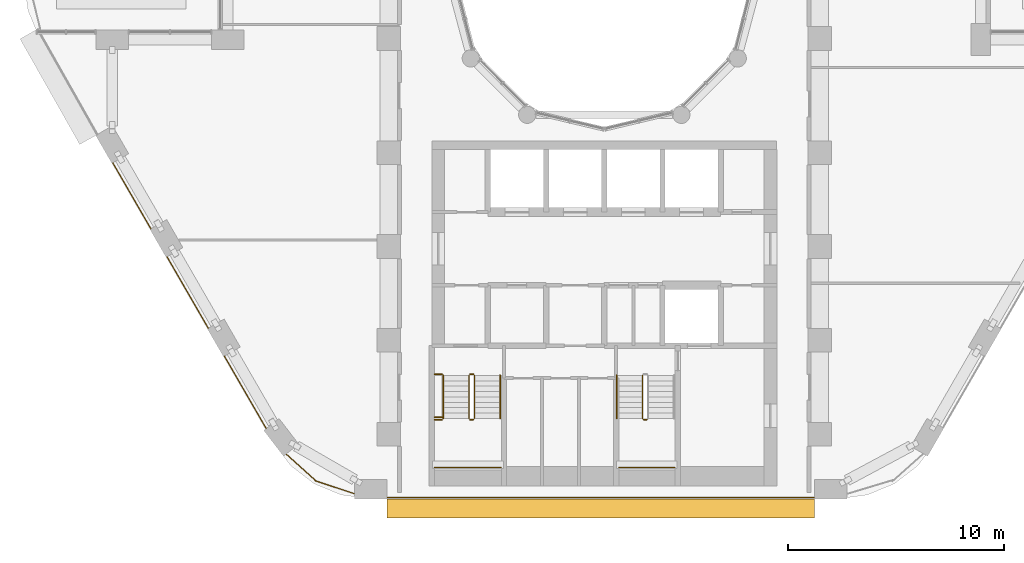
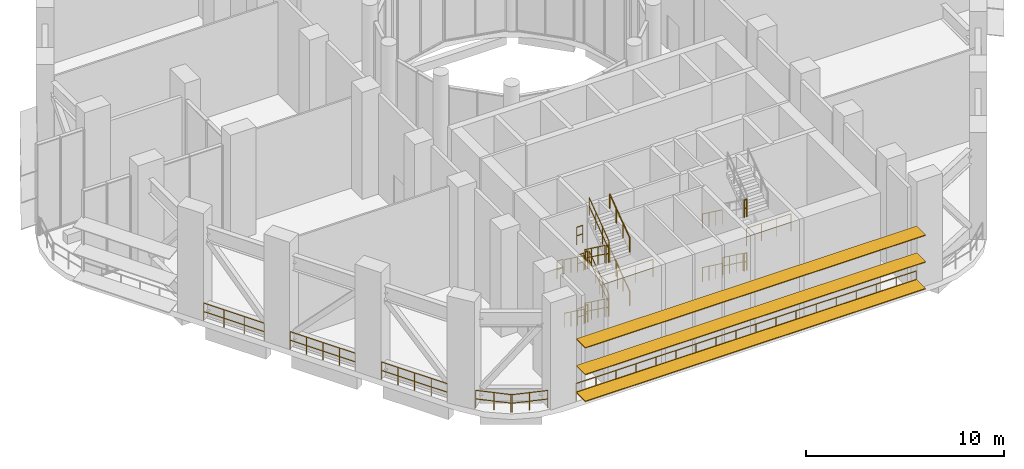
# One storey, part 16 of 20: 29 railings, 3 shading devices.
"""IFC4 building model written with IfcOpenShell, lengths in metres."""

import ifcopenshell
import ifcopenshell.guid

model = None  # the IFC model being written
_history = None  # IfcOwnerHistory: only IFC2X3 demands one
_inside = {}  # id of a spatial element -> (the spatial element, [elements in it])
_under = {}  # id of a project, library or spatial element -> (it, [spatial elements below it])
_declared = {}  # id of a project -> (the project, [libraries it declares])
_typed = {}  # id of a type object -> (the type object, [elements of that type])
_made_of = {}  # id of a material, layer set ... -> (it, [elements and type objects made of it])


def new_model(schema):
    """Start an empty IFC model of exactly this schema.

    Asked for "IFC4X3", IfcOpenShell would pick the latest addendum, in which some entities
    have other attributes; the version numbers below select the first issue.
    IFC2X3 requires an IfcOwnerHistory on every rooted entity: one is made here for all.
    """
    global model, _history
    if schema == "IFC4X3":
        model = ifcopenshell.file(schema_version=(4, 3, 0, 0))
    else:
        model = ifcopenshell.file(schema=schema)
    _inside.clear()
    _under.clear()
    _declared.clear()
    _typed.clear()
    _made_of.clear()
    _history = None
    if model.schema == "IFC2X3":
        org = make("IfcOrganization", Name="unknown")
        user = make(
            "IfcPersonAndOrganization",
            ThePerson=make("IfcPerson", FamilyName="unknown"),
            TheOrganization=org,
        )
        app = make(
            "IfcApplication",
            ApplicationDeveloper=org,
            Version="unknown",
            ApplicationFullName="unknown",
            ApplicationIdentifier="unknown",
        )
        _history = make(
            "IfcOwnerHistory",
            OwningUser=user,
            OwningApplication=app,
            ChangeAction="ADDED",
            CreationDate=0,
        )
    return model


def make(cls, **values):
    """One entity of the class cls with the attributes given. An attribute that is None is left unset."""
    return model.create_entity(
        cls, **{name: value for name, value in values.items() if value is not None}
    )


def rooted(cls, **values):
    """An entity with a GlobalId (a new one), such as an element, a storey or a relation."""
    return make(cls, GlobalId=ifcopenshell.guid.new(), OwnerHistory=_history, **values)


def si_unit(unit_type, name, prefix=None):
    """IfcSIUnit, for example si_unit("LENGTHUNIT", "METRE", prefix="MILLI")."""
    return make("IfcSIUnit", UnitType=unit_type, Prefix=prefix, Name=name)


def assignment(units):
    """IfcUnitAssignment: the units of a project."""
    return None if units is None else make("IfcUnitAssignment", Units=units)


def point(xyz):
    """IfcCartesianPoint."""
    return None if xyz is None else make("IfcCartesianPoint", Coordinates=xyz)


def direction(xyz):
    """IfcDirection."""
    return None if xyz is None else make("IfcDirection", DirectionRatios=xyz)


def frame(location, z_axis=None, x_axis=None):
    """IfcAxis2Placement3D, a coordinate frame: its origin and axes. An axis left out is left unset."""
    return make(
        "IfcAxis2Placement3D",
        Location=point(location),
        Axis=direction(z_axis),
        RefDirection=direction(x_axis),
    )


def frame_2d(location, x_axis=None):
    """IfcAxis2Placement2D, a coordinate frame in the plane: its origin and x axis."""
    return make(
        "IfcAxis2Placement2D", Location=point(location), RefDirection=direction(x_axis)
    )


def origin():
    """The frame at (0, 0, 0) with its axes left unset."""
    return frame((0.0, 0.0, 0.0))


def origin_2d():
    """The frame at (0, 0) in the plane with its x axis left unset."""
    return frame_2d((0.0, 0.0))


def place(relative_to, where):
    """IfcLocalPlacement: puts the frame where relative to a parent placement (None: the world)."""
    return make(
        "IfcLocalPlacement", PlacementRelTo=relative_to, RelativePlacement=where
    )


def context(
    kind, dimensions, precision=None, world=None, true_north=None, identifier=None
):
    """IfcGeometricRepresentationContext, for example the 3D "Model" context."""
    return make(
        "IfcGeometricRepresentationContext",
        ContextIdentifier=identifier,
        ContextType=kind,
        CoordinateSpaceDimension=dimensions,
        Precision=precision,
        WorldCoordinateSystem=world,
        TrueNorth=true_north,
    )


def subcontext(parent, identifier, kind, view, scale=None):
    """IfcGeometricRepresentationSubContext, for example "Body" below "Model"."""
    return make(
        "IfcGeometricRepresentationSubContext",
        ContextIdentifier=identifier,
        ContextType=kind,
        ParentContext=parent,
        TargetScale=scale,
        TargetView=view,
    )


def project(units=None, contexts=None):
    """IfcProject with its units and contexts."""
    return rooted(
        "IfcProject",
        Name="project",
        RepresentationContexts=contexts,
        UnitsInContext=assignment(units),
    )


def spatial(cls, under=None, at=None, **own):
    """A site, building, storey or space (cls), placed at a placement, below another one or the project."""
    s = rooted(cls, ObjectPlacement=at, **own)
    if under is not None:
        _under.setdefault(under.id(), (under, []))[1].append(s)
    return s


def profile(cls, at=None, kind="AREA", **sizes):
    """A parametric profile (cls). Its sizes go by their IFC names, for example OverallWidth=200.0."""
    return make(cls, ProfileType=kind, Position=at, **sizes)


def rectangle(**sizes):
    """IfcRectangleProfileDef."""
    return profile("IfcRectangleProfileDef", **sizes)


def circle(**sizes):
    """IfcCircleProfileDef."""
    return profile("IfcCircleProfileDef", **sizes)


def extrude(swept, where, along, depth):
    """IfcExtrudedAreaSolid: the profile swept, set in the frame where, extruded along a direction by depth."""
    return make(
        "IfcExtrudedAreaSolid",
        SweptArea=swept,
        Position=where,
        ExtrudedDirection=direction(along),
        Depth=depth,
    )


def shape(context_of_items, identifier, shape_type, items):
    """IfcShapeRepresentation: the items that make up one representation, for example the "Body"."""
    return make(
        "IfcShapeRepresentation",
        ContextOfItems=context_of_items,
        RepresentationIdentifier=identifier,
        RepresentationType=shape_type,
        Items=items,
    )


def material(Name=None, Category=None):
    """IfcMaterial."""
    return make("IfcMaterial", Name=Name, Category=Category)


def material_profile(
    of_material, cross_section, Name=None, Category=None, Priority=None
):
    """IfcMaterialProfile: a cross section and its material."""
    return make(
        "IfcMaterialProfile",
        Name=Name,
        Material=of_material,
        Profile=cross_section,
        Priority=Priority,
        Category=Category,
    )


def profile_set(profiles, Name=None, composite=None):
    """IfcMaterialProfileSet."""
    return make(
        "IfcMaterialProfileSet",
        Name=Name,
        MaterialProfiles=profiles,
        CompositeProfile=composite,
    )


def made_of(thing, what):
    """Note that an element or type object is made of a material, layer set ...; save() writes the relation."""
    if what is not None:
        _made_of.setdefault(what.id(), (what, []))[1].append(thing)
    return thing


def type_object(cls, material=None, **own):
    """A type object (cls), such as IfcWallType, which elements share."""
    return made_of(rooted(cls, **own), material)


def element(
    cls,
    number,
    at=None,
    inside=None,
    cuts=None,
    type_object=None,
    material=None,
    context=None,
    identifier="Body",
    shape_type=None,
    held_by="IfcProductDefinitionShape",
    body=None,
    shapes=None,
    **own,
):
    """One element of the class cls, such as IfcWall. Its Tag is "e" and its number.

    at: its placement. inside: the storey or other place that contains it. cuts: it is an
    opening in that element (IfcRelVoidsElement). A single representation is given by context,
    identifier, shape_type and body (its items); several are given by shapes. held_by: the class
    of the entity that holds the representations. save() writes the other relations.
    """
    e = rooted(cls, Tag="e%d" % number, ObjectPlacement=at, **own)
    if body is not None:
        shapes = [shape(context, identifier, shape_type, body)]
    if shapes is not None:
        e.Representation = make(held_by, Representations=shapes)
    if inside is not None:
        _inside.setdefault(inside.id(), (inside, []))[1].append(e)
    if cuts is not None:
        rooted(
            "IfcRelVoidsElement", RelatingBuildingElement=cuts, RelatedOpeningElement=e
        )
    if type_object is not None:
        _typed.setdefault(type_object.id(), (type_object, []))[1].append(e)
    return made_of(e, material)


def aggregate(whole, parts):
    """IfcRelAggregates: a whole, such as a stair, and the parts it consists of."""
    return rooted("IfcRelAggregates", RelatingObject=whole, RelatedObjects=parts)


def save(model, path):
    """Write the relations noted so far, then the file.

    IfcRelAggregates (storeys below a building ...), IfcRelContainedInSpatialStructure (elements
    in a storey), IfcRelDefinesByType, IfcRelAssociatesMaterial and IfcRelDeclares: one each for
    every whole, place, type object, material and project.
    """
    for whole, parts in _under.values():
        aggregate(whole, parts)
    for where, things in _inside.values():
        rooted(
            "IfcRelContainedInSpatialStructure",
            RelatedElements=things,
            RelatingStructure=where,
        )
    for kind, things in _typed.values():
        rooted("IfcRelDefinesByType", RelatedObjects=things, RelatingType=kind)
    for what, things in _made_of.values():
        rooted("IfcRelAssociatesMaterial", RelatedObjects=things, RelatingMaterial=what)
    for by, libraries in _declared.values():
        rooted("IfcRelDeclares", RelatingContext=by, RelatedDefinitions=libraries)
    model.write(path)


model = new_model("IFC4")

# Units and contexts
model_context = context("Model", 3, precision=1e-05, world=origin(), true_north=direction((0.0, 1.0)))
body_context = subcontext(model_context, "Body", "Model", "MODEL_VIEW")
ifc_project = project(units=[si_unit("LENGTHUNIT", "METRE"), si_unit("AREAUNIT", "SQUARE_METRE"), si_unit("VOLUMEUNIT", "CUBIC_METRE"), si_unit("PLANEANGLEUNIT", "RADIAN"), si_unit("MASSUNIT", "GRAM", prefix="KILO")], contexts=[model_context])

# Site, building, storey
site_placement = place(None, origin())
site = spatial("IfcSite", under=ifc_project, at=site_placement, CompositionType="ELEMENT")
building_placement = place(site_placement, origin())
building = spatial("IfcBuilding", under=site, at=building_placement, Name="Nakaniwa Court", CompositionType="ELEMENT")
storey_placement = place(building_placement, frame((0.0, 0.0, 71.10009765625)))
storey = spatial("IfcBuildingStorey", under=building, at=storey_placement, Name="S1", CompositionType="ELEMENT", Elevation=71.10009765625)

# Railings
ifc_material_1 = material(Name="Black powder-coated steel flat bar balustrade S275", Category="steel")
railing_type_1 = type_object("IfcRailingType", Name="Black metal terrace guard 1100", PredefinedType="GUARDRAIL", material=ifc_material_1)
railing_1_placement = place(storey_placement, frame((57.203857421875, 71.584228515625, 0.0)))
element("IfcRailing", 1, at=railing_1_placement, inside=storey, type_object=railing_type_1, Name="S1 refuge band guard 21", PredefinedType="GUARDRAIL", context=body_context, shape_type="SweptSolid", body=[
    extrude(circle(Radius=0.02392578125, at=origin_2d()), frame((0.0, 0.0, 1.076171875), z_axis=(0.499977402622, -0.866038449993, 0.0), x_axis=(0.866038449993, 0.499977402622, 0.0)), (0.0, 0.0, 1.0), 3.536865234375),
    extrude(circle(Radius=0.02392578125, at=origin_2d()), frame((0.0, 0.0, 0.550048828125), z_axis=(0.499977402622, -0.866038449993, 0.0), x_axis=(0.866038449993, 0.499977402622, 0.0)), (0.0, 0.0, 1.0), 3.536865234375),
    extrude(circle(Radius=0.02099609375, at=origin_2d()), origin(), (0.0, 0.0, 1.0), 1.052001953125),
    extrude(circle(Radius=0.02099609375, at=origin_2d()), frame((0.58935546875, -1.02099609375, 0.0)), (0.0, 0.0, 1.0), 1.052001953125),
    extrude(circle(Radius=0.02099609375, at=origin_2d()), frame((1.178955078125, -2.0419921875, 0.0)), (0.0, 0.0, 1.0), 1.052001953125),
    extrude(circle(Radius=0.02099609375, at=origin_2d()), frame((1.768310546875, -3.06298828125, 0.0)), (0.0, 0.0, 1.0), 1.052001953125),
])
railing_2_placement = place(storey_placement, frame((59.718017578125, 67.229248046875, 0.0)))
element("IfcRailing", 2, at=railing_2_placement, inside=storey, type_object=railing_type_1, Name="S1 refuge band guard 22", PredefinedType="GUARDRAIL", context=body_context, shape_type="SweptSolid", body=[
    extrude(circle(Radius=0.02392578125, at=origin_2d()), frame((0.0, 0.0, 1.076171875), z_axis=(0.500001735503, -0.866024401789, 0.0), x_axis=(0.866024401789, 0.500001735503, 0.0)), (0.0, 0.0, 1.0), 3.833984375),
    extrude(circle(Radius=0.02392578125, at=origin_2d()), frame((0.0, 0.0, 0.550048828125), z_axis=(0.500001735503, -0.866024401789, 0.0), x_axis=(0.866024401789, 0.500001735503, 0.0)), (0.0, 0.0, 1.0), 3.833984375),
    extrude(circle(Radius=0.02099609375, at=origin_2d()), origin(), (0.0, 0.0, 1.0), 1.052001953125),
    extrude(circle(Radius=0.02099609375, at=origin_2d()), frame((0.479248046875, -0.830078125, 0.0)), (0.0, 0.0, 1.0), 1.052001953125),
    extrude(circle(Radius=0.02099609375, at=origin_2d()), frame((0.95849609375, -1.66015625, 0.0)), (0.0, 0.0, 1.0), 1.052001953125),
    extrude(circle(Radius=0.02099609375, at=origin_2d()), frame((1.437744140625, -2.490234375, 0.0)), (0.0, 0.0, 1.0), 1.052001953125),
    extrude(circle(Radius=0.02099609375, at=origin_2d()), frame((1.9169921875, -3.3203125, 0.0)), (0.0, 0.0, 1.0), 1.052001953125),
])
railing_3_placement = place(storey_placement, frame((62.381103515625, 62.616943359375, 0.0)))
element("IfcRailing", 3, at=railing_3_placement, inside=storey, type_object=railing_type_1, Name="S1 refuge band guard 23", PredefinedType="GUARDRAIL", context=body_context, shape_type="SweptSolid", body=[
    extrude(circle(Radius=0.02392578125, at=origin_2d()), frame((0.0, 0.0, 1.076171875), z_axis=(0.499995691662, -0.86602789119, 0.0), x_axis=(0.86602789119, 0.499995691662, 0.0)), (0.0, 0.0, 1.0), 3.8671875),
    extrude(circle(Radius=0.02392578125, at=origin_2d()), frame((0.0, 0.0, 0.550048828125), z_axis=(0.499995691662, -0.86602789119, 0.0), x_axis=(0.86602789119, 0.499995691662, 0.0)), (0.0, 0.0, 1.0), 3.8671875),
    extrude(circle(Radius=0.02099609375, at=origin_2d()), origin(), (0.0, 0.0, 1.0), 1.052001953125),
    extrude(circle(Radius=0.02099609375, at=origin_2d()), frame((0.4833984375, -0.83740234375, 0.0)), (0.0, 0.0, 1.0), 1.052001953125),
    extrude(circle(Radius=0.02099609375, at=origin_2d()), frame((0.966796875, -1.674560546875, 0.0)), (0.0, 0.0, 1.0), 1.052001953125),
    extrude(circle(Radius=0.02099609375, at=origin_2d()), frame((1.4501953125, -2.51171875, 0.0)), (0.0, 0.0, 1.0), 1.052001953125),
    extrude(circle(Radius=0.02099609375, at=origin_2d()), frame((1.93359375, -3.34912109375, 0.0)), (0.0, 0.0, 1.0), 1.052001953125),
])
railing_4_placement = place(storey_placement, frame((65.25341796875, 58.068115234375, 0.0)))
element("IfcRailing", 4, at=railing_4_placement, inside=storey, type_object=railing_type_1, Name="S1 refuge band guard 24", PredefinedType="GUARDRAIL", context=body_context, shape_type="SweptSolid", body=[
    extrude(circle(Radius=0.02392578125, at=origin_2d()), frame((0.0, 0.0, 1.076171875), z_axis=(0.743617271418, -0.668605529179, 0.0), x_axis=(0.668605529179, 0.743617271418, 0.0)), (0.0, 0.0, 1.0), 1.8779296875),
    extrude(circle(Radius=0.02392578125, at=origin_2d()), frame((0.0, 0.0, 0.550048828125), z_axis=(0.743617271418, -0.668605529179, 0.0), x_axis=(0.668605529179, 0.743617271418, 0.0)), (0.0, 0.0, 1.0), 1.8779296875),
    extrude(circle(Radius=0.02099609375, at=origin_2d()), origin(), (0.0, 0.0, 1.0), 1.052001953125),
    extrude(circle(Radius=0.02099609375, at=origin_2d()), frame((0.6982421875, -0.6279296875, 0.0)), (0.0, 0.0, 1.0), 1.052001953125),
    extrude(circle(Radius=0.02099609375, at=origin_2d()), frame((1.396484375, -1.255615234375, 0.0)), (0.0, 0.0, 1.0), 1.052001953125),
])
railing_5_placement = place(storey_placement, frame((66.592529296875, 56.837890625, 0.0)))
element("IfcRailing", 5, at=railing_5_placement, inside=storey, type_object=railing_type_1, Name="S1 refuge band guard 25", PredefinedType="GUARDRAIL", context=body_context, shape_type="SweptSolid", body=[
    extrude(circle(Radius=0.02392578125, at=origin_2d()), frame((0.0, 0.0, 1.076171875), z_axis=(0.949284984435, -0.314416949808, 0.0), x_axis=(0.314416949808, 0.949284984435, 0.0)), (0.0, 0.0, 1.0), 1.901611328125),
    extrude(circle(Radius=0.02392578125, at=origin_2d()), frame((0.0, 0.0, 0.550048828125), z_axis=(0.949284984435, -0.314416949808, 0.0), x_axis=(0.314416949808, 0.949284984435, 0.0)), (0.0, 0.0, 1.0), 1.901611328125),
    extrude(circle(Radius=0.02099609375, at=origin_2d()), origin(), (0.0, 0.0, 1.0), 1.052001953125),
    extrude(circle(Radius=0.02099609375, at=origin_2d()), frame((0.902587890625, -0.298828125, 0.0)), (0.0, 0.0, 1.0), 1.052001953125),
    extrude(circle(Radius=0.02099609375, at=origin_2d()), frame((1.80517578125, -0.597900390625, 0.0)), (0.0, 0.0, 1.0), 1.052001953125),
])
railing_6_placement = place(storey_placement, frame((69.92138671875, 56.050048828125, 0.0)))
element("IfcRailing", 6, at=railing_6_placement, inside=storey, type_object=railing_type_1, Name="S1 refuge band guard 26", PredefinedType="GUARDRAIL", context=body_context, shape_type="SweptSolid", body=[
    extrude(circle(Radius=0.02392578125, at=origin_2d()), frame((0.0, 0.0, 1.076171875), z_axis=(1.0, 0.0, 0.0), x_axis=(0.0, 1.0, 0.0)), (0.0, 0.0, 1.0), 19.839599609375),
    extrude(circle(Radius=0.02392578125, at=origin_2d()), frame((0.0, 0.0, 0.550048828125), z_axis=(1.0, 0.0, 0.0), x_axis=(0.0, 1.0, 0.0)), (0.0, 0.0, 1.0), 19.839599609375),
    extrude(circle(Radius=0.02099609375, at=origin_2d()), origin(), (0.0, 0.0, 1.0), 1.052001953125),
    extrude(circle(Radius=0.02099609375, at=origin_2d()), frame((1.1669921875, 0.0, 0.0)), (0.0, 0.0, 1.0), 1.052001953125),
    extrude(circle(Radius=0.02099609375, at=origin_2d()), frame((2.333984375, 0.0, 0.0)), (0.0, 0.0, 1.0), 1.052001953125),
    extrude(circle(Radius=0.02099609375, at=origin_2d()), frame((3.501220703125, 0.0, 0.0)), (0.0, 0.0, 1.0), 1.052001953125),
    extrude(circle(Radius=0.02099609375, at=origin_2d()), frame((4.668212890625, 0.0, 0.0)), (0.0, 0.0, 1.0), 1.052001953125),
    extrude(circle(Radius=0.02099609375, at=origin_2d()), frame((5.835205078125, 0.0, 0.0)), (0.0, 0.0, 1.0), 1.052001953125),
    extrude(circle(Radius=0.02099609375, at=origin_2d()), frame((7.002197265625, 0.0, 0.0)), (0.0, 0.0, 1.0), 1.052001953125),
    extrude(circle(Radius=0.02099609375, at=origin_2d()), frame((8.169189453125, 0.0, 0.0)), (0.0, 0.0, 1.0), 1.052001953125),
    extrude(circle(Radius=0.02099609375, at=origin_2d()), frame((9.336181640625, 0.0, 0.0)), (0.0, 0.0, 1.0), 1.052001953125),
    extrude(circle(Radius=0.02099609375, at=origin_2d()), frame((10.50341796875, 0.0, 0.0)), (0.0, 0.0, 1.0), 1.052001953125),
    extrude(circle(Radius=0.02099609375, at=origin_2d()), frame((11.67041015625, 0.0, 0.0)), (0.0, 0.0, 1.0), 1.052001953125),
    extrude(circle(Radius=0.02099609375, at=origin_2d()), frame((12.83740234375, 0.0, 0.0)), (0.0, 0.0, 1.0), 1.052001953125),
    extrude(circle(Radius=0.02099609375, at=origin_2d()), frame((14.00439453125, 0.0, 0.0)), (0.0, 0.0, 1.0), 1.052001953125),
    extrude(circle(Radius=0.02099609375, at=origin_2d()), frame((15.17138671875, 0.0, 0.0)), (0.0, 0.0, 1.0), 1.052001953125),
    extrude(circle(Radius=0.02099609375, at=origin_2d()), frame((16.33837890625, 0.0, 0.0)), (0.0, 0.0, 1.0), 1.052001953125),
    extrude(circle(Radius=0.02099609375, at=origin_2d()), frame((17.505615234375, 0.0, 0.0)), (0.0, 0.0, 1.0), 1.052001953125),
    extrude(circle(Radius=0.02099609375, at=origin_2d()), frame((18.672607421875, 0.0, 0.0)), (0.0, 0.0, 1.0), 1.052001953125),
    extrude(circle(Radius=0.02099609375, at=origin_2d()), frame((19.839599609375, 0.0, 0.0)), (0.0, 0.0, 1.0), 1.052001953125),
])

# Shading devices
ifc_material_2 = material(Name="Perforated charcoal ceramic louvre blade")
ifc_material_profile = material_profile(ifc_material_2, rectangle(XDim=0.89990234375, YDim=0.050048828125, at=origin_2d()), Name="Perforated ceramic louvre blade")
ifc_profile_set = profile_set([ifc_material_profile], Name="Perforated charcoal ceramic louvre blade")
shading_device_type = type_object("IfcShadingDeviceType", Name="Perforated ceramic louvre blade", PredefinedType="JALOUSIE", material=ifc_profile_set)
for number, where, z_axis, x_axis, name in (
    (7, (69.92138671875, 55.550048828125, 0.5498046875), (1.0, 0.0, 0.0), (0.0, 1.0, 0.0), "S1 perforated ceramic louvre blade s26 1"),
    (8, (69.92138671875, 55.550048828125, 2.199951171875), (1.0, 0.0, 0.0), (0.0, 1.0, 0.0), "S1 perforated ceramic louvre blade s26 2"),
    (9, (69.92138671875, 55.550048828125, 3.849853515625), (1.0, 0.0, 0.0), (0.0, 1.0, 0.0), "S1 perforated ceramic louvre blade s26 3"),
):
    element("IfcShadingDevice", number, at=place(storey_placement, frame(where, z_axis=z_axis, x_axis=x_axis)), inside=storey, type_object=shading_device_type, Name=name, PredefinedType="JALOUSIE", context=body_context, shape_type="SweptSolid", body=[
        extrude(rectangle(XDim=0.89990234375, YDim=0.050048828125, at=origin_2d()), origin(), (0.0, 0.0, 1.0), 19.839599609375),
    ])

# Railings
ifc_material_3 = material(Name="Black powder coated steel guard", Category="steel")
railing_type_2 = type_object("IfcRailingType", Name="Stair guard 1100", PredefinedType="GUARDRAIL", material=ifc_material_3)
railing_7_placement = place(storey_placement, frame((73.72509765625, 61.72509765625, 0.183349609375)))
element("IfcRailing", 10, at=railing_7_placement, inside=storey, type_object=railing_type_2, Name="S1 ST3 stair guard 1", PredefinedType="GUARDRAIL", context=body_context, shape_type="SweptSolid", body=[
    extrude(circle(Radius=0.02392578125, at=origin_2d()), frame((0.0, 0.0, 1.076171875), z_axis=(0.0, -0.806426902644, 0.591333789573), x_axis=(1.0, 0.0, 0.0)), (0.0, 0.0, 1.0), 2.47998046875),
    extrude(circle(Radius=0.02392578125, at=origin_2d()), frame((0.0, 0.0, 0.550048828125), z_axis=(0.0, -0.806426902644, 0.591333789573), x_axis=(1.0, 0.0, 0.0)), (0.0, 0.0, 1.0), 2.47998046875),
    extrude(circle(Radius=0.02099609375, at=origin_2d()), origin(), (0.0, 0.0, 1.0), 1.052001953125),
    extrude(circle(Radius=0.02099609375, at=origin_2d()), frame((0.0, -0.666748046875, 0.48876953125)), (0.0, 0.0, 1.0), 1.052001953125),
    extrude(circle(Radius=0.02099609375, at=origin_2d()), frame((0.0, -1.333251953125, 0.977783203125)), (0.0, 0.0, 1.0), 1.052001953125),
    extrude(circle(Radius=0.02099609375, at=origin_2d()), frame((0.0, -2.0, 1.466552734375)), (0.0, 0.0, 1.0), 1.052001953125),
])
railing_8_placement = place(storey_placement, frame((73.77490234375, 59.675048828125, 1.64990234375)))
element("IfcRailing", 11, at=railing_8_placement, inside=storey, type_object=railing_type_2, Name="S1 ST3 stair guard 2", PredefinedType="GUARDRAIL", context=body_context, shape_type="SweptSolid", body=[
    extrude(circle(Radius=0.02392578125, at=origin_2d()), frame((0.0, 0.0, 1.076171875), z_axis=(1.0, 0.0, 0.0), x_axis=(0.0, 1.0, 0.0)), (0.0, 0.0, 1.0), 0.150146484375),
    extrude(circle(Radius=0.02392578125, at=origin_2d()), frame((0.0, 0.0, 0.550048828125), z_axis=(1.0, 0.0, 0.0), x_axis=(0.0, 1.0, 0.0)), (0.0, 0.0, 1.0), 0.150146484375),
    extrude(circle(Radius=0.02099609375, at=origin_2d()), origin(), (0.0, 0.0, 1.0), 1.052001953125),
    extrude(circle(Radius=0.02099609375, at=origin_2d()), frame((0.150146484375, 0.0, 0.0)), (0.0, 0.0, 1.0), 1.052001953125),
])
railing_9_placement = place(storey_placement, frame((73.97509765625, 59.72509765625, 1.833251953125)))
element("IfcRailing", 12, at=railing_9_placement, inside=storey, type_object=railing_type_2, Name="S1 ST3 stair guard 3", PredefinedType="GUARDRAIL", context=body_context, shape_type="SweptSolid", body=[
    extrude(circle(Radius=0.02392578125, at=origin_2d()), frame((0.0, 0.0, 1.076171875), z_axis=(0.0, 0.806426902644, 0.591333789573), x_axis=(-1.0, 0.0, 0.0)), (0.0, 0.0, 1.0), 2.47998046875),
    extrude(circle(Radius=0.02392578125, at=origin_2d()), frame((0.0, 0.0, 0.550048828125), z_axis=(0.0, 0.806426902644, 0.591333789573), x_axis=(-1.0, 0.0, 0.0)), (0.0, 0.0, 1.0), 2.47998046875),
    extrude(circle(Radius=0.02099609375, at=origin_2d()), origin(), (0.0, 0.0, 1.0), 1.052001953125),
    extrude(circle(Radius=0.02099609375, at=origin_2d()), frame((0.0, 0.666748046875, 0.48876953125)), (0.0, 0.0, 1.0), 1.052001953125),
    extrude(circle(Radius=0.02099609375, at=origin_2d()), frame((0.0, 1.333251953125, 0.977783203125)), (0.0, 0.0, 1.0), 1.052001953125),
    extrude(circle(Radius=0.02099609375, at=origin_2d()), frame((0.0, 2.0, 1.466552734375)), (0.0, 0.0, 1.0), 1.052001953125),
])
railing_10_placement = place(storey_placement, frame((73.77490234375, 61.77490234375, 3.2998046875)))
element("IfcRailing", 13, at=railing_10_placement, inside=storey, type_object=railing_type_2, Name="S1 ST3 stair guard 4", PredefinedType="GUARDRAIL", context=body_context, shape_type="SweptSolid", body=[
    extrude(circle(Radius=0.02392578125, at=origin_2d()), frame((0.0, 0.0, 1.076171875), z_axis=(1.0, 0.0, 0.0), x_axis=(0.0, 1.0, 0.0)), (0.0, 0.0, 1.0), 0.150146484375),
    extrude(circle(Radius=0.02392578125, at=origin_2d()), frame((0.0, 0.0, 0.550048828125), z_axis=(1.0, 0.0, 0.0), x_axis=(0.0, 1.0, 0.0)), (0.0, 0.0, 1.0), 0.150146484375),
    extrude(circle(Radius=0.02099609375, at=origin_2d()), origin(), (0.0, 0.0, 1.0), 1.052001953125),
    extrude(circle(Radius=0.02099609375, at=origin_2d()), frame((0.150146484375, 0.0, 0.0)), (0.0, 0.0, 1.0), 1.052001953125),
])
railing_11_placement = place(storey_placement, frame((73.72509765625, 61.72509765625, 3.483154296875)))
element("IfcRailing", 14, at=railing_11_placement, inside=storey, type_object=railing_type_2, Name="S1 ST3 stair guard 5", PredefinedType="GUARDRAIL", context=body_context, shape_type="SweptSolid", body=[
    extrude(circle(Radius=0.02392578125, at=origin_2d()), frame((0.0, 0.0, 1.076171875), z_axis=(0.0, -0.806379959628, 0.591397802423), x_axis=(1.0, 0.0, 0.0)), (0.0, 0.0, 1.0), 2.480224609375),
    extrude(circle(Radius=0.02392578125, at=origin_2d()), frame((0.0, 0.0, 0.550048828125), z_axis=(0.0, -0.806379959628, 0.591397802423), x_axis=(1.0, 0.0, 0.0)), (0.0, 0.0, 1.0), 2.480224609375),
    extrude(circle(Radius=0.02099609375, at=origin_2d()), origin(), (0.0, 0.0, 1.0), 1.052001953125),
    extrude(circle(Radius=0.02099609375, at=origin_2d()), frame((0.0, -0.666748046875, 0.489013671875)), (0.0, 0.0, 1.0), 1.052001953125),
    extrude(circle(Radius=0.02099609375, at=origin_2d()), frame((0.0, -1.333251953125, 0.977783203125)), (0.0, 0.0, 1.0), 1.052001953125),
    extrude(circle(Radius=0.02099609375, at=origin_2d()), frame((0.0, -2.0, 1.466796875)), (0.0, 0.0, 1.0), 1.052001953125),
])
railing_12_placement = place(storey_placement, frame((73.77490234375, 59.675048828125, 4.949951171875)))
element("IfcRailing", 15, at=railing_12_placement, inside=storey, type_object=railing_type_2, Name="S1 ST3 stair guard 6", PredefinedType="GUARDRAIL", context=body_context, shape_type="SweptSolid", body=[
    extrude(circle(Radius=0.02392578125, at=origin_2d()), frame((0.0, 0.0, 1.076171875), z_axis=(1.0, 0.0, 0.0), x_axis=(0.0, 1.0, 0.0)), (0.0, 0.0, 1.0), 0.150146484375),
    extrude(circle(Radius=0.02392578125, at=origin_2d()), frame((0.0, 0.0, 0.550048828125), z_axis=(1.0, 0.0, 0.0), x_axis=(0.0, 1.0, 0.0)), (0.0, 0.0, 1.0), 0.150146484375),
    extrude(circle(Radius=0.02099609375, at=origin_2d()), origin(), (0.0, 0.0, 1.0), 1.052001953125),
    extrude(circle(Radius=0.02099609375, at=origin_2d()), frame((0.150146484375, 0.0, 0.0)), (0.0, 0.0, 1.0), 1.052001953125),
])
railing_13_placement = place(storey_placement, frame((73.97509765625, 59.72509765625, 5.13330078125)))
element("IfcRailing", 16, at=railing_13_placement, inside=storey, type_object=railing_type_2, Name="S1 ST3 stair guard 7", PredefinedType="GUARDRAIL", context=body_context, shape_type="SweptSolid", body=[
    extrude(circle(Radius=0.02392578125, at=origin_2d()), frame((0.0, 0.0, 1.076171875), z_axis=(0.0, 0.806426902644, 0.591333789573), x_axis=(-1.0, 0.0, 0.0)), (0.0, 0.0, 1.0), 2.47998046875),
    extrude(circle(Radius=0.02392578125, at=origin_2d()), frame((0.0, 0.0, 0.550048828125), z_axis=(0.0, 0.806426902644, 0.591333789573), x_axis=(-1.0, 0.0, 0.0)), (0.0, 0.0, 1.0), 2.47998046875),
    extrude(circle(Radius=0.02099609375, at=origin_2d()), origin(), (0.0, 0.0, 1.0), 1.052001953125),
    extrude(circle(Radius=0.02099609375, at=origin_2d()), frame((0.0, 0.666748046875, 0.48876953125)), (0.0, 0.0, 1.0), 1.052001953125),
    extrude(circle(Radius=0.02099609375, at=origin_2d()), frame((0.0, 1.333251953125, 0.977783203125)), (0.0, 0.0, 1.0), 1.052001953125),
    extrude(circle(Radius=0.02099609375, at=origin_2d()), frame((0.0, 2.0, 1.466552734375)), (0.0, 0.0, 1.0), 1.052001953125),
])
railing_14_placement = place(storey_placement, frame((73.77490234375, 61.77490234375, 0.0)))
element("IfcRailing", 17, at=railing_14_placement, inside=storey, type_object=railing_type_2, Name="S1 ST3 stair guard 8", PredefinedType="GUARDRAIL", context=body_context, shape_type="SweptSolid", body=[
    extrude(circle(Radius=0.02392578125, at=origin_2d()), frame((0.0, 0.0, 1.076171875), z_axis=(1.0, 0.0, 0.0), x_axis=(0.0, 1.0, 0.0)), (0.0, 0.0, 1.0), 0.150146484375),
    extrude(circle(Radius=0.02392578125, at=origin_2d()), frame((0.0, 0.0, 0.550048828125), z_axis=(1.0, 0.0, 0.0), x_axis=(0.0, 1.0, 0.0)), (0.0, 0.0, 1.0), 0.150146484375),
    extrude(circle(Radius=0.02099609375, at=origin_2d()), origin(), (0.0, 0.0, 1.0), 1.052001953125),
    extrude(circle(Radius=0.02099609375, at=origin_2d()), frame((0.150146484375, 0.0, 0.0)), (0.0, 0.0, 1.0), 1.052001953125),
])
for number, where, name in (
    (18, (72.125, 59.675048828125, 1.64990234375), "S1 ST3 landing side guard 1W"),
    (19, (72.125, 61.77490234375, 3.2998046875), "S1 ST3 landing side guard 2W"),
):
    element("IfcRailing", number, at=place(storey_placement, frame(where)), inside=storey, type_object=railing_type_2, Name=name, PredefinedType="GUARDRAIL", context=body_context, shape_type="SweptSolid", body=[
        extrude(circle(Radius=0.02392578125, at=origin_2d()), frame((0.0, 0.0, 1.076171875), z_axis=(1.0, 0.0, 0.0), x_axis=(0.0, 1.0, 0.0)), (0.0, 0.0, 1.0), 0.35009765625),
        extrude(circle(Radius=0.02392578125, at=origin_2d()), frame((0.0, 0.0, 0.550048828125), z_axis=(1.0, 0.0, 0.0), x_axis=(0.0, 1.0, 0.0)), (0.0, 0.0, 1.0), 0.35009765625),
        extrude(circle(Radius=0.02099609375, at=origin_2d()), origin(), (0.0, 0.0, 1.0), 1.052001953125),
        extrude(circle(Radius=0.02099609375, at=origin_2d()), frame((0.35009765625, 0.0, 0.0)), (0.0, 0.0, 1.0), 1.052001953125),
    ])
railing_15_placement = place(storey_placement, frame((72.125, 57.449951171875, 4.949951171875)))
element("IfcRailing", 20, at=railing_15_placement, inside=storey, type_object=railing_type_2, Name="S1 ST3 landing end guard 3", PredefinedType="GUARDRAIL", context=body_context, shape_type="SweptSolid", body=[
    extrude(circle(Radius=0.02392578125, at=origin_2d()), frame((0.0, 0.0, 1.076171875), z_axis=(1.0, 0.0, 0.0), x_axis=(0.0, 1.0, 0.0)), (0.0, 0.0, 1.0), 3.10009765625),
    extrude(circle(Radius=0.02392578125, at=origin_2d()), frame((0.0, 0.0, 0.550048828125), z_axis=(1.0, 0.0, 0.0), x_axis=(0.0, 1.0, 0.0)), (0.0, 0.0, 1.0), 3.10009765625),
    extrude(circle(Radius=0.02099609375, at=origin_2d()), origin(), (0.0, 0.0, 1.0), 1.052001953125),
    extrude(circle(Radius=0.02099609375, at=origin_2d()), frame((1.033447265625, 0.0, 0.0)), (0.0, 0.0, 1.0), 1.052001953125),
    extrude(circle(Radius=0.02099609375, at=origin_2d()), frame((2.066650390625, 0.0, 0.0)), (0.0, 0.0, 1.0), 1.052001953125),
    extrude(circle(Radius=0.02099609375, at=origin_2d()), frame((3.10009765625, 0.0, 0.0)), (0.0, 0.0, 1.0), 1.052001953125),
])
for number, where, name in (
    (21, (72.125, 59.675048828125, 4.949951171875), "S1 ST3 landing side guard 3W"),
    (22, (72.125, 59.77490234375, 6.599853515625), "S1 ST3 floor edge guard 3W"),
):
    element("IfcRailing", number, at=place(storey_placement, frame(where)), inside=storey, type_object=railing_type_2, Name=name, PredefinedType="GUARDRAIL", context=body_context, shape_type="SweptSolid", body=[
        extrude(circle(Radius=0.02392578125, at=origin_2d()), frame((0.0, 0.0, 1.076171875), z_axis=(1.0, 0.0, 0.0), x_axis=(0.0, 1.0, 0.0)), (0.0, 0.0, 1.0), 0.35009765625),
        extrude(circle(Radius=0.02392578125, at=origin_2d()), frame((0.0, 0.0, 0.550048828125), z_axis=(1.0, 0.0, 0.0), x_axis=(0.0, 1.0, 0.0)), (0.0, 0.0, 1.0), 0.35009765625),
        extrude(circle(Radius=0.02099609375, at=origin_2d()), origin(), (0.0, 0.0, 1.0), 1.052001953125),
        extrude(circle(Radius=0.02099609375, at=origin_2d()), frame((0.35009765625, 0.0, 0.0)), (0.0, 0.0, 1.0), 1.052001953125),
    ])
railing_16_placement = place(storey_placement, frame((81.77490234375, 61.72509765625, 0.183349609375)))
element("IfcRailing", 23, at=railing_16_placement, inside=storey, type_object=railing_type_2, Name="S1 ST4 stair guard 1", PredefinedType="GUARDRAIL", context=body_context, shape_type="SweptSolid", body=[
    extrude(circle(Radius=0.02392578125, at=origin_2d()), frame((0.0, 0.0, 1.076171875), z_axis=(0.0, -0.806426902644, 0.591333789573), x_axis=(1.0, 0.0, 0.0)), (0.0, 0.0, 1.0), 2.47998046875),
    extrude(circle(Radius=0.02392578125, at=origin_2d()), frame((0.0, 0.0, 0.550048828125), z_axis=(0.0, -0.806426902644, 0.591333789573), x_axis=(1.0, 0.0, 0.0)), (0.0, 0.0, 1.0), 2.47998046875),
    extrude(circle(Radius=0.02099609375, at=origin_2d()), origin(), (0.0, 0.0, 1.0), 1.052001953125),
    extrude(circle(Radius=0.02099609375, at=origin_2d()), frame((0.0, -0.666748046875, 0.48876953125)), (0.0, 0.0, 1.0), 1.052001953125),
    extrude(circle(Radius=0.02099609375, at=origin_2d()), frame((0.0, -1.333251953125, 0.977783203125)), (0.0, 0.0, 1.0), 1.052001953125),
    extrude(circle(Radius=0.02099609375, at=origin_2d()), frame((0.0, -2.0, 1.466552734375)), (0.0, 0.0, 1.0), 1.052001953125),
])
for number, where, name in (
    (24, (81.824951171875, 59.675048828125, 1.64990234375), "S1 ST4 stair guard 2"),
    (25, (81.824951171875, 59.675048828125, 4.949951171875), "S1 ST4 stair guard 6"),
):
    element("IfcRailing", number, at=place(storey_placement, frame(where)), inside=storey, type_object=railing_type_2, Name=name, PredefinedType="GUARDRAIL", context=body_context, shape_type="SweptSolid", body=[
        extrude(circle(Radius=0.02392578125, at=origin_2d()), frame((0.0, 0.0, 1.076171875), z_axis=(1.0, 0.0, 0.0), x_axis=(0.0, 1.0, 0.0)), (0.0, 0.0, 1.0), 0.150146484375),
        extrude(circle(Radius=0.02392578125, at=origin_2d()), frame((0.0, 0.0, 0.550048828125), z_axis=(1.0, 0.0, 0.0), x_axis=(0.0, 1.0, 0.0)), (0.0, 0.0, 1.0), 0.150146484375),
        extrude(circle(Radius=0.02099609375, at=origin_2d()), origin(), (0.0, 0.0, 1.0), 1.052001953125),
        extrude(circle(Radius=0.02099609375, at=origin_2d()), frame((0.150146484375, 0.0, 0.0)), (0.0, 0.0, 1.0), 1.052001953125),
    ])
railing_17_placement = place(storey_placement, frame((80.675048828125, 57.449951171875, 4.949951171875)))
element("IfcRailing", 26, at=railing_17_placement, inside=storey, type_object=railing_type_2, Name="S1 ST4 landing end guard 3", PredefinedType="GUARDRAIL", context=body_context, shape_type="SweptSolid", body=[
    extrude(circle(Radius=0.02392578125, at=origin_2d()), frame((0.0, 0.0, 1.076171875), z_axis=(1.0, 0.0, 0.0), x_axis=(0.0, 1.0, 0.0)), (0.0, 0.0, 1.0), 2.599853515625),
    extrude(circle(Radius=0.02392578125, at=origin_2d()), frame((0.0, 0.0, 0.550048828125), z_axis=(1.0, 0.0, 0.0), x_axis=(0.0, 1.0, 0.0)), (0.0, 0.0, 1.0), 2.599853515625),
    extrude(circle(Radius=0.02099609375, at=origin_2d()), origin(), (0.0, 0.0, 1.0), 1.052001953125),
    extrude(circle(Radius=0.02099609375, at=origin_2d()), frame((0.86669921875, 0.0, 0.0)), (0.0, 0.0, 1.0), 1.052001953125),
    extrude(circle(Radius=0.02099609375, at=origin_2d()), frame((1.733154296875, 0.0, 0.0)), (0.0, 0.0, 1.0), 1.052001953125),
    extrude(circle(Radius=0.02099609375, at=origin_2d()), frame((2.599853515625, 0.0, 0.0)), (0.0, 0.0, 1.0), 1.052001953125),
])
ifc_material_4 = material(Name="Black powder coated steel handrail", Category="steel")
railing_type_3 = type_object("IfcRailingType", Name="Stair handrail 900", PredefinedType="HANDRAIL", material=ifc_material_4)
railing_18_placement = place(storey_placement, frame((72.52490234375, 61.72509765625, 0.183349609375)))
element("IfcRailing", 27, at=railing_18_placement, inside=storey, type_object=railing_type_3, Name="S1 ST3 stair handrail 1", PredefinedType="HANDRAIL", context=body_context, shape_type="SweptSolid", body=[
    extrude(circle(Radius=0.02392578125, at=origin_2d()), frame((0.0, 0.0, 0.8759765625), z_axis=(0.0, -0.806426902644, 0.591333789573), x_axis=(1.0, 0.0, 0.0)), (0.0, 0.0, 1.0), 2.47998046875),
    extrude(circle(Radius=0.02099609375, at=origin_2d()), origin(), (0.0, 0.0, 1.0), 0.851806640625),
    extrude(circle(Radius=0.02099609375, at=origin_2d()), frame((0.0, -0.666748046875, 0.48876953125)), (0.0, 0.0, 1.0), 0.851806640625),
    extrude(circle(Radius=0.02099609375, at=origin_2d()), frame((0.0, -1.333251953125, 0.977783203125)), (0.0, 0.0, 1.0), 0.851806640625),
    extrude(circle(Radius=0.02099609375, at=origin_2d()), frame((0.0, -2.0, 1.466552734375)), (0.0, 0.0, 1.0), 0.851806640625),
])
railing_19_placement = place(storey_placement, frame((75.175048828125, 59.72509765625, 1.833251953125)))
element("IfcRailing", 28, at=railing_19_placement, inside=storey, type_object=railing_type_3, Name="S1 ST3 stair handrail 2", PredefinedType="HANDRAIL", context=body_context, shape_type="SweptSolid", body=[
    extrude(circle(Radius=0.02392578125, at=origin_2d()), frame((0.0, 0.0, 0.8759765625), z_axis=(0.0, 0.806426902644, 0.591333789573), x_axis=(-1.0, 0.0, 0.0)), (0.0, 0.0, 1.0), 2.47998046875),
    extrude(circle(Radius=0.02099609375, at=origin_2d()), origin(), (0.0, 0.0, 1.0), 0.851806640625),
    extrude(circle(Radius=0.02099609375, at=origin_2d()), frame((0.0, 0.666748046875, 0.48876953125)), (0.0, 0.0, 1.0), 0.851806640625),
    extrude(circle(Radius=0.02099609375, at=origin_2d()), frame((0.0, 1.333251953125, 0.977783203125)), (0.0, 0.0, 1.0), 0.851806640625),
    extrude(circle(Radius=0.02099609375, at=origin_2d()), frame((0.0, 2.0, 1.466552734375)), (0.0, 0.0, 1.0), 0.851806640625),
])
railing_20_placement = place(storey_placement, frame((72.52490234375, 61.72509765625, 3.483154296875)))
element("IfcRailing", 29, at=railing_20_placement, inside=storey, type_object=railing_type_3, Name="S1 ST3 stair handrail 3", PredefinedType="HANDRAIL", context=body_context, shape_type="SweptSolid", body=[
    extrude(circle(Radius=0.02392578125, at=origin_2d()), frame((0.0, 0.0, 0.8759765625), z_axis=(0.0, -0.806379959628, 0.591397802423), x_axis=(1.0, 0.0, 0.0)), (0.0, 0.0, 1.0), 2.480224609375),
    extrude(circle(Radius=0.02099609375, at=origin_2d()), origin(), (0.0, 0.0, 1.0), 0.851806640625),
    extrude(circle(Radius=0.02099609375, at=origin_2d()), frame((0.0, -0.666748046875, 0.489013671875)), (0.0, 0.0, 1.0), 0.851806640625),
    extrude(circle(Radius=0.02099609375, at=origin_2d()), frame((0.0, -1.333251953125, 0.977783203125)), (0.0, 0.0, 1.0), 0.851806640625),
    extrude(circle(Radius=0.02099609375, at=origin_2d()), frame((0.0, -2.0, 1.466796875)), (0.0, 0.0, 1.0), 0.851806640625),
])
railing_21_placement = place(storey_placement, frame((75.175048828125, 59.72509765625, 5.13330078125)))
element("IfcRailing", 30, at=railing_21_placement, inside=storey, type_object=railing_type_3, Name="S1 ST3 stair handrail 4", PredefinedType="HANDRAIL", context=body_context, shape_type="SweptSolid", body=[
    extrude(circle(Radius=0.02392578125, at=origin_2d()), frame((0.0, 0.0, 0.8759765625), z_axis=(0.0, 0.806426902644, 0.591333789573), x_axis=(-1.0, 0.0, 0.0)), (0.0, 0.0, 1.0), 2.47998046875),
    extrude(circle(Radius=0.02099609375, at=origin_2d()), origin(), (0.0, 0.0, 1.0), 0.851806640625),
    extrude(circle(Radius=0.02099609375, at=origin_2d()), frame((0.0, 0.666748046875, 0.48876953125)), (0.0, 0.0, 1.0), 0.851806640625),
    extrude(circle(Radius=0.02099609375, at=origin_2d()), frame((0.0, 1.333251953125, 0.977783203125)), (0.0, 0.0, 1.0), 0.851806640625),
    extrude(circle(Radius=0.02099609375, at=origin_2d()), frame((0.0, 2.0, 1.466552734375)), (0.0, 0.0, 1.0), 0.851806640625),
])
railing_22_placement = place(storey_placement, frame((80.574951171875, 61.72509765625, 0.183349609375)))
element("IfcRailing", 31, at=railing_22_placement, inside=storey, type_object=railing_type_3, Name="S1 ST4 stair handrail 1", PredefinedType="HANDRAIL", context=body_context, shape_type="SweptSolid", body=[
    extrude(circle(Radius=0.02392578125, at=origin_2d()), frame((0.0, 0.0, 0.8759765625), z_axis=(0.0, -0.806426902644, 0.591333789573), x_axis=(1.0, 0.0, 0.0)), (0.0, 0.0, 1.0), 2.47998046875),
    extrude(circle(Radius=0.02099609375, at=origin_2d()), origin(), (0.0, 0.0, 1.0), 0.851806640625),
    extrude(circle(Radius=0.02099609375, at=origin_2d()), frame((0.0, -0.666748046875, 0.48876953125)), (0.0, 0.0, 1.0), 0.851806640625),
    extrude(circle(Radius=0.02099609375, at=origin_2d()), frame((0.0, -1.333251953125, 0.977783203125)), (0.0, 0.0, 1.0), 0.851806640625),
    extrude(circle(Radius=0.02099609375, at=origin_2d()), frame((0.0, -2.0, 1.466552734375)), (0.0, 0.0, 1.0), 0.851806640625),
])
railing_23_placement = place(storey_placement, frame((80.574951171875, 61.72509765625, 3.483154296875)))
element("IfcRailing", 32, at=railing_23_placement, inside=storey, type_object=railing_type_3, Name="S1 ST4 stair handrail 3", PredefinedType="HANDRAIL", context=body_context, shape_type="SweptSolid", body=[
    extrude(circle(Radius=0.02392578125, at=origin_2d()), frame((0.0, 0.0, 0.8759765625), z_axis=(0.0, -0.806379959628, 0.591397802423), x_axis=(1.0, 0.0, 0.0)), (0.0, 0.0, 1.0), 2.480224609375),
    extrude(circle(Radius=0.02099609375, at=origin_2d()), origin(), (0.0, 0.0, 1.0), 0.851806640625),
    extrude(circle(Radius=0.02099609375, at=origin_2d()), frame((0.0, -0.666748046875, 0.489013671875)), (0.0, 0.0, 1.0), 0.851806640625),
    extrude(circle(Radius=0.02099609375, at=origin_2d()), frame((0.0, -1.333251953125, 0.977783203125)), (0.0, 0.0, 1.0), 0.851806640625),
    extrude(circle(Radius=0.02099609375, at=origin_2d()), frame((0.0, -2.0, 1.466796875)), (0.0, 0.0, 1.0), 0.851806640625),
])

save(model, "model.ifc")
